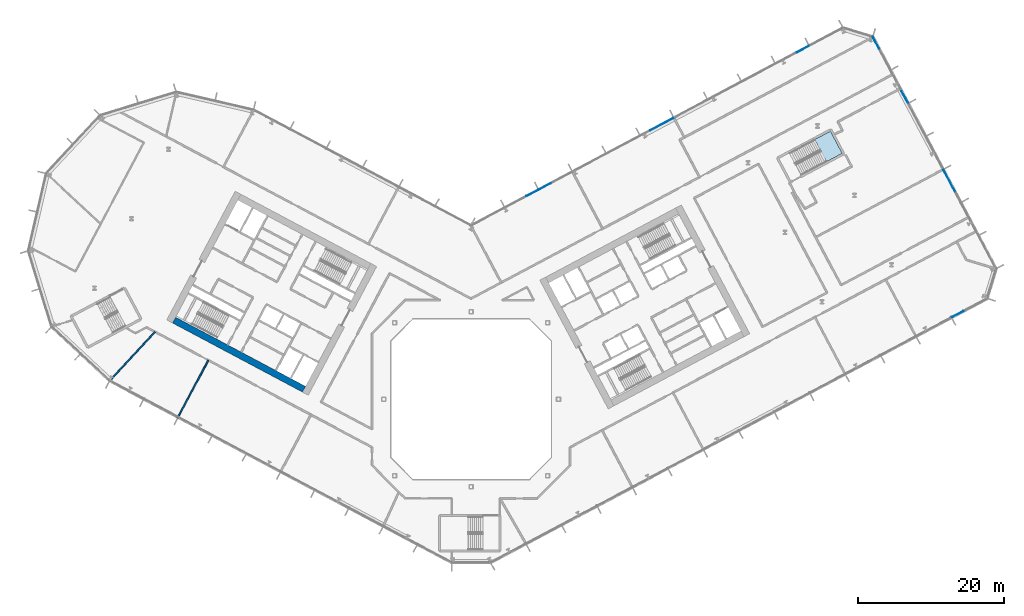
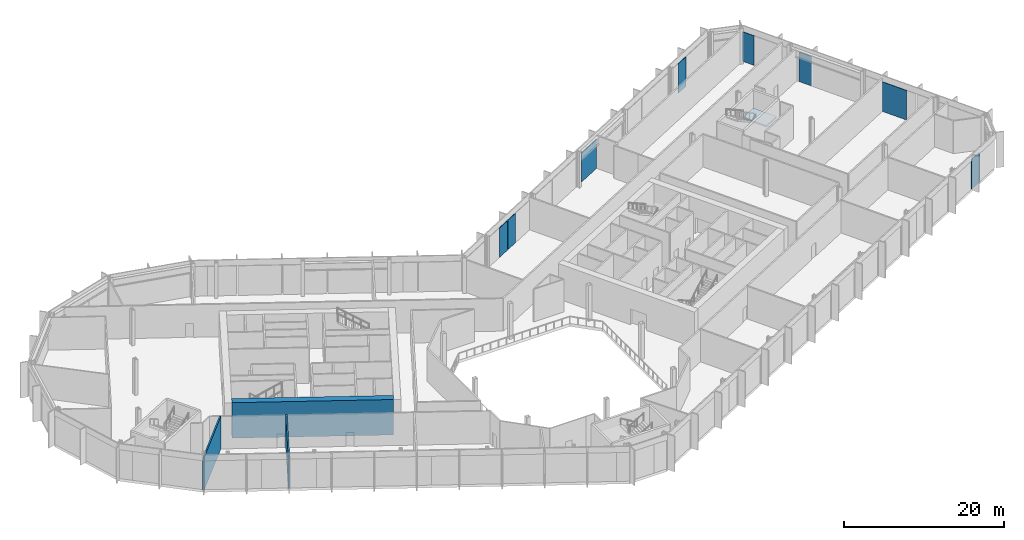
# One storey, part 11 of 32: 8 plates, 3 walls, 1 slab, 4 elements without a shape of their own.
"""IFC4 building model written with IfcOpenShell, lengths in metres."""

from ifc_helpers import new_model, si_unit, direction, frame, frame_2d, origin, origin_2d, place, context, subcontext, project, spatial, polyline, rectangle, outline, extrude, material, layer, layer_set, type_object, element, aggregate, save


model = new_model("IFC4")

# Units and contexts
model_context = context("Model", 3, precision=1e-05, world=origin(), true_north=direction((0.0, 1.0)))
body_context = subcontext(model_context, "Body", "Model", "MODEL_VIEW")
ifc_project = project(units=[si_unit("LENGTHUNIT", "METRE"), si_unit("AREAUNIT", "SQUARE_METRE"), si_unit("VOLUMEUNIT", "CUBIC_METRE"), si_unit("PLANEANGLEUNIT", "RADIAN"), si_unit("MASSUNIT", "GRAM", prefix="KILO")], contexts=[model_context])

# Site, building, storey
site_placement = place(None, origin())
site = spatial("IfcSite", under=ifc_project, at=site_placement, CompositionType="ELEMENT")
building_placement = place(site_placement, origin())
building = spatial("IfcBuilding", under=site, at=building_placement, Name="Cormorant Relay Tower", CompositionType="ELEMENT")
storey_placement = place(building_placement, frame((0.0, 0.0, 28.39990234375)))
storey = spatial("IfcBuildingStorey", under=building, at=storey_placement, Name="L05", CompositionType="ELEMENT", Elevation=28.39990234375)

# Curtain wall, plate
ifc_material_1 = material(Name="Aluminium 6063-T6 anodised bronze", Category="aluminium")
ifc_layer_1 = layer(ifc_material_1, 0.235107421875)
ifc_layer_set_1 = layer_set([ifc_layer_1], Name="CW6 data hall curtain wall with mineral wool panels")
curtain_wall_type = type_object("IfcCurtainWallType", Name="CW6 data hall curtain wall with mineral wool panels", PredefinedType="NOTDEFINED", material=ifc_layer_set_1)
curtain_wall_1_placement = place(storey_placement, origin())
curtain_wall_1 = element("IfcCurtainWall", 1, at=curtain_wall_1_placement, inside=storey, type_object=curtain_wall_type, Name="CW6 curtain wall 2", PredefinedType="NOTDEFINED")
ifc_material_2 = material(Name="Tinted triple-glazed laminated unit")
ifc_layer_2 = layer(ifc_material_2, 0.074951171875)
ifc_layer_set_2 = layer_set([ifc_layer_2], Name="CW6 triple-glazed vision unit 1800 module")
plate_type_1 = type_object("IfcPlateType", Name="CW6 triple-glazed vision unit 1800 module", PredefinedType="CURTAIN_PANEL", material=ifc_layer_set_2)
plate_1_placement = place(storey_placement, frame((66.794189453125, 11.688720703125, 0.0), z_axis=(0.0, 0.0, 1.0), x_axis=(0.882947592859, 0.469471562786, 0.0)))
plate_1 = element("IfcPlate", 2, at=plate_1_placement, type_object=plate_type_1, Name="CW6 panel V14", PredefinedType="CURTAIN_PANEL", context=body_context, shape_type="SweptSolid", body=[
    extrude(rectangle(XDim=1.800048828125, YDim=0.074951171875, at=origin_2d()), origin(), (0.0, 0.0, 1.0), 4.5),
])
aggregate(curtain_wall_1, [plate_1])

# Curtain wall, plates
curtain_wall_2_placement = place(storey_placement, origin())
curtain_wall_2 = element("IfcCurtainWall", 3, at=curtain_wall_2_placement, inside=storey, type_object=curtain_wall_type, Name="CW6 curtain wall 4", PredefinedType="NOTDEFINED")
plate_2_placement = place(storey_placement, frame((59.52587890625, 41.49169921875, 0.0), z_axis=(0.0, 0.0, 1.0), x_axis=(-0.469471562786, 0.882947592859, 0.0)))
plate_2 = element("IfcPlate", 4, at=plate_2_placement, type_object=plate_type_1, Name="CW6 panel V04", PredefinedType="CURTAIN_PANEL", context=body_context, shape_type="SweptSolid", body=[
    extrude(rectangle(XDim=1.800048828125, YDim=0.074951171875, at=origin_2d()), origin(), (0.0, 0.0, 1.0), 4.5),
])
plate_3_placement = place(storey_placement, frame((55.577392578125, 48.91796875, 0.0), z_axis=(0.0, 0.0, 1.0), x_axis=(-0.469471562786, 0.882947592859, 0.0)))
plate_3 = element("IfcPlate", 5, at=plate_3_placement, type_object=plate_type_1, Name="CW6 panel V06", PredefinedType="CURTAIN_PANEL", context=body_context, shape_type="SweptSolid", body=[
    extrude(rectangle(XDim=1.800048828125, YDim=0.074951171875, at=origin_2d()), origin(), (0.0, 0.0, 1.0), 4.5),
])

curtain_wall_3_placement = place(storey_placement, origin())
curtain_wall_3 = element("IfcCurtainWall", 6, at=curtain_wall_3_placement, inside=storey, type_object=curtain_wall_type, Name="CW6 curtain wall 6", PredefinedType="NOTDEFINED")
plate_4_placement = place(storey_placement, frame((45.543701171875, 48.04248046875, 0.0), z_axis=(0.0, 0.0, 1.0), x_axis=(-0.882947592859, -0.469471562786, 0.0)))
plate_4 = element("IfcPlate", 7, at=plate_4_placement, type_object=plate_type_1, Name="CW6 panel V01", PredefinedType="CURTAIN_PANEL", context=body_context, shape_type="SweptSolid", body=[
    extrude(rectangle(XDim=1.800048828125, YDim=0.074951171875, at=origin_2d()), origin(), (0.0, 0.0, 1.0), 4.5),
])
plate_5_placement = place(storey_placement, frame((10.127685546875, 29.21142578125, 0.0), z_axis=(0.0, 0.0, 1.0), x_axis=(-0.882947592859, -0.469471562786, 0.0)))
plate_5 = element("IfcPlate", 8, at=plate_5_placement, type_object=plate_type_1, Name="CW6 panel V07", PredefinedType="CURTAIN_PANEL", context=body_context, shape_type="SweptSolid", body=[
    extrude(rectangle(XDim=1.800048828125, YDim=0.074951171875, at=origin_2d()), origin(), (0.0, 0.0, 1.0), 4.5),
])
plate_6_placement = place(storey_placement, frame((8.406005859375, 28.2958984375, 0.0), z_axis=(0.0, 0.0, 1.0), x_axis=(-0.882947592859, -0.469471562786, 0.0)))
plate_6 = element("IfcPlate", 9, at=plate_6_placement, type_object=plate_type_1, Name="CW6 panel V08", PredefinedType="CURTAIN_PANEL", context=body_context, shape_type="SweptSolid", body=[
    extrude(rectangle(XDim=1.800048828125, YDim=0.074951171875, at=origin_2d()), origin(), (0.0, 0.0, 1.0), 4.5),
])

# Plate
ifc_material_3 = material(Name="Tinted triple-glazed laminated unit")
ifc_layer_3 = layer(ifc_material_3, 0.074951171875)
ifc_layer_set_3 = layer_set([ifc_layer_3], Name="CW6 triple-glazed vision unit 3600 module")
plate_type_2 = type_object("IfcPlateType", Name="CW6 triple-glazed vision unit 3600 module", PredefinedType="CURTAIN_PANEL", material=ifc_layer_set_3)
plate_7_placement = place(storey_placement, frame((65.69287109375, 29.8935546875, 0.0), z_axis=(0.0, 0.0, 1.0), x_axis=(-0.469471562786, 0.882947592859, 0.0)))
plate_7 = element("IfcPlate", 10, at=plate_7_placement, type_object=plate_type_2, Name="CW6 panel V02", PredefinedType="CURTAIN_PANEL", context=body_context, shape_type="SweptSolid", body=[
    extrude(rectangle(XDim=3.60009765625, YDim=0.074951171875, at=origin_2d()), origin(), (0.0, 0.0, 1.0), 4.5),
])

aggregate(curtain_wall_2, [plate_7, plate_2, plate_3])

plate_8_placement = place(storey_placement, frame((26.18017578125, 37.74658203125, 0.0), z_axis=(0.0, 0.0, 1.0), x_axis=(-0.882947592859, -0.469471562786, 0.0)))
plate_8 = element("IfcPlate", 11, at=plate_8_placement, type_object=plate_type_2, Name="CW6 panel V04", PredefinedType="CURTAIN_PANEL", context=body_context, shape_type="SweptSolid", body=[
    extrude(rectangle(XDim=3.60009765625, YDim=0.074951171875, at=origin_2d()), origin(), (0.0, 0.0, 1.0), 4.5),
])

aggregate(curtain_wall_3, [plate_4, plate_8, plate_5, plate_6])

# Stair, slab
ifc_material_4 = material(Name="Concrete 40 MPa", Category="concrete")
stair_type = type_object("IfcStairType", Name="Exit stair 1500", PredefinedType="HALF_TURN_STAIR", material=ifc_material_4)
stair_placement = place(storey_placement, origin())
stair = element("IfcStair", 12, at=stair_placement, inside=storey, type_object=stair_type, Name="L05 Stair", PredefinedType="HALF_TURN_STAIR")
ifc_material_5 = material(Name="Concrete 40 MPa", Category="concrete")
ifc_layer_4 = layer(ifc_material_5, 0.199951171875)
ifc_layer_set_4 = layer_set([ifc_layer_4], Name="Exit stair landing 200")
slab_type = type_object("IfcSlabType", Name="Exit stair landing 200", PredefinedType="LANDING", material=ifc_layer_set_4)
slab_placement = place(storey_placement, frame((0.0, 0.0, 2.5)))
slab = element("IfcSlab", 13, at=slab_placement, type_object=slab_type, Name="RB1 landing 1", PredefinedType="LANDING", context=body_context, shape_type="SweptSolid", body=[
    extrude(outline(polyline([(48.796142578125, 32.614013671875), (50.941650390625, 33.7548828125), (49.322021484375, 36.801025390625), (47.17626953125, 35.66015625), (48.796142578125, 32.614013671875)])), origin(), (0.0, 0.0, 1.0), 0.2001953125),
])
aggregate(stair, [slab])

# Walls
ifc_material_6 = material(Name="Concrete 70 MPa", Category="concrete")
ifc_layer_5 = layer(ifc_material_6, 0.89990234375)
ifc_layer_set_5 = layer_set([ifc_layer_5], Name="Core wall 900")
wall_type_1 = type_object("IfcWallType", Name="Core wall 900", PredefinedType="SHEAR", material=ifc_layer_set_5)
wall_1_placement = place(storey_placement, frame((-22.93701171875, 1.3798828125, 0.0), z_axis=(0.0, 0.0, 1.0), x_axis=(-0.88295276571, 0.46946183394, 0.0)))
element("IfcWall", 14, at=wall_1_placement, inside=storey, type_object=wall_type_1, Name="L05 core A wall", PredefinedType="SHEAR", context=body_context, shape_type="SweptSolid", body=[
    extrude(rectangle(XDim=20.199951171875, YDim=0.89990234375, at=frame_2d((10.10009765625, 0.0))), origin(), (0.0, 0.0, 1.0), 5.400146484375),
])
ifc_material_7 = material(Name="Fire-rated gypsum board partition")
ifc_layer_6 = layer(ifc_material_7, 0.199951171875)
ifc_layer_set_6 = layer_set([ifc_layer_6], Name="Fire-rated gypsum partition 200")
wall_type_2 = type_object("IfcWallType", Name="Fire-rated gypsum partition 200", PredefinedType="PARTITIONING", material=ifc_layer_set_6)
wall_2_placement = place(storey_placement, frame((-43.376953125, 9.2490234375, 0.0), z_axis=(0.0, 0.0, 1.0), x_axis=(-0.681998974138, -0.731353128984, 0.0)))
element("IfcWall", 15, at=wall_2_placement, inside=storey, type_object=wall_type_2, Name="wall/L05/part/6", PredefinedType="PARTITIONING", context=body_context, shape_type="SweptSolid", body=[
    extrude(rectangle(XDim=9.319580078125, YDim=0.199951171875, at=frame_2d((4.65966796875, 0.0))), origin(), (0.0, 0.0, 1.0), 4.9501953125),
])
wall_3_placement = place(storey_placement, frame((-36.071044921875, 5.364013671875, 0.0), z_axis=(0.0, 0.0, 1.0), x_axis=(-0.469475779988, -0.88294535052, 0.0)))
element("IfcWall", 16, at=wall_3_placement, inside=storey, type_object=wall_type_2, Name="wall/L05/part/7", PredefinedType="PARTITIONING", context=body_context, shape_type="SweptSolid", body=[
    extrude(rectangle(XDim=9.001708984375, YDim=0.199951171875, at=frame_2d((4.5009765625, 0.0))), origin(), (0.0, 0.0, 1.0), 4.9501953125),
])

save(model, "model.ifc")
